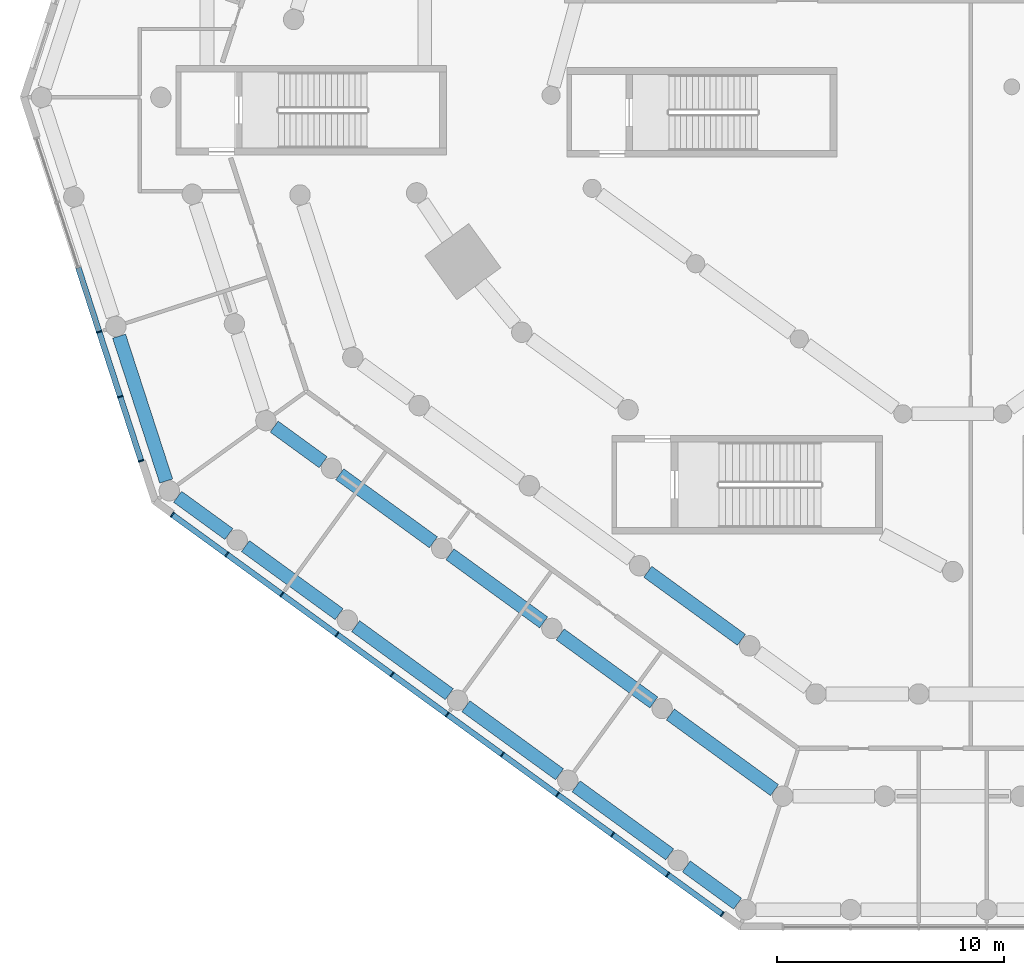
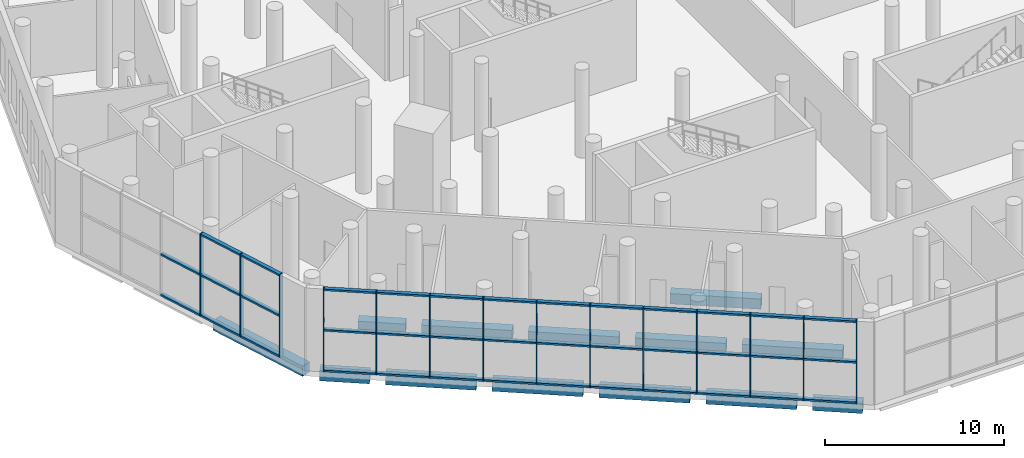
# One storey, part 2 of 23: 52 members, 13 beams, 2 elements without a shape of their own.
"""IFC4 building model written with IfcOpenShell, lengths in metres."""

from ifc_helpers import new_model, si_unit, direction, frame, origin, origin_2d, place, context, subcontext, project, spatial, rectangle, extrude, material, material_profile, profile_set, type_object, element, aggregate, save


model = new_model("IFC4")

# Units and contexts
model_context = context("Model", 3, precision=1e-05, world=origin(), true_north=direction((0.0, 1.0)))
body_context = subcontext(model_context, "Body", "Model", "MODEL_VIEW")
ifc_project = project(units=[si_unit("LENGTHUNIT", "METRE"), si_unit("AREAUNIT", "SQUARE_METRE"), si_unit("VOLUMEUNIT", "CUBIC_METRE"), si_unit("PLANEANGLEUNIT", "RADIAN"), si_unit("MASSUNIT", "GRAM", prefix="KILO")], contexts=[model_context])

# Site, building, storey
site_placement = place(None, origin())
site = spatial("IfcSite", under=ifc_project, at=site_placement, CompositionType="ELEMENT")
building_placement = place(site_placement, origin())
building = spatial("IfcBuilding", under=site, at=building_placement, Name="White Candle Pilgrim Tower", CompositionType="ELEMENT")
storey_placement = place(building_placement, frame((0.0, 0.0, 9.0)))
storey = spatial("IfcBuildingStorey", under=building, at=storey_placement, Name="L01", CompositionType="ELEMENT", Elevation=9.0)

# Curtain wall, members
ifc_material_1 = material(Name="Aluminium and glass", Category="aluminium")
curtain_wall_type = type_object("IfcCurtainWallType", Name="Curtain wall CW1 hall glazing", PredefinedType="NOTDEFINED", material=ifc_material_1)
curtain_wall_1_placement = place(storey_placement, origin())
curtain_wall_1 = element("IfcCurtainWall", 1, at=curtain_wall_1_placement, inside=storey, type_object=curtain_wall_type, Name="Curtain wall CW1 L01 W chamfer", PredefinedType="NOTDEFINED")
ifc_material_2 = material(Name="Aluminium", Category="aluminium")
ifc_material_profile_1 = material_profile(ifc_material_2, rectangle(XDim=0.25, YDim=0.06005859375, at=origin_2d()), Name="CW1 mullion 60x250")
ifc_profile_set_1 = profile_set([ifc_material_profile_1], Name="Aluminium")
member_type_1 = type_object("IfcMemberType", Name="CW1 mullion 60x250", PredefinedType="MULLION", material=ifc_profile_set_1)
member_1_placement = place(storey_placement, frame((32.407958984375, 50.20849609375, 0.0), z_axis=(0.0, 0.0, 1.0), x_axis=(0.95105651629, 0.309016994392, 0.0)))
member_1 = element("IfcMember", 2, at=member_1_placement, type_object=member_type_1, Name="CW1 mullion 4", PredefinedType="MULLION", context=body_context, shape_type="SweptSolid", body=[
    extrude(rectangle(XDim=0.25, YDim=0.06005859375, at=origin_2d()), origin(), (0.0, 0.0, 1.0), 5.64990234375),
])
member_2_placement = place(storey_placement, frame((33.3349609375, 47.355224609375, 0.0), z_axis=(0.0, 0.0, 1.0), x_axis=(0.95105651629, 0.309016994392, 0.0)))
member_2 = element("IfcMember", 3, at=member_2_placement, type_object=member_type_1, Name="CW1 mullion 5", PredefinedType="MULLION", context=body_context, shape_type="SweptSolid", body=[
    extrude(rectangle(XDim=0.25, YDim=0.06005859375, at=origin_2d()), origin(), (0.0, 0.0, 1.0), 5.64990234375),
])
member_3_placement = place(storey_placement, frame((34.2529296875, 44.530517578125, 0.0), z_axis=(0.0, 0.0, 1.0), x_axis=(0.95105651629, 0.309016994392, 0.0)))
member_3 = element("IfcMember", 4, at=member_3_placement, type_object=member_type_1, Name="CW1 mullion 6", PredefinedType="MULLION", context=body_context, shape_type="SweptSolid", body=[
    extrude(rectangle(XDim=0.25, YDim=0.06005859375, at=origin_2d()), origin(), (0.0, 0.0, 1.0), 5.64990234375),
])

curtain_wall_2_placement = place(storey_placement, origin())
curtain_wall_2 = element("IfcCurtainWall", 5, at=curtain_wall_2_placement, inside=storey, type_object=curtain_wall_type, Name="Curtain wall CW1 L01 SW", PredefinedType="NOTDEFINED")
member_4_placement = place(storey_placement, frame((35.626708984375, 42.15771484375, 0.0), z_axis=(0.0, 0.0, 1.0), x_axis=(0.587785256853, 0.809016991061, 0.0)))
member_4 = element("IfcMember", 6, at=member_4_placement, type_object=member_type_1, Name="CW1 mullion 1", PredefinedType="MULLION", context=body_context, shape_type="SweptSolid", body=[
    extrude(rectangle(XDim=0.25, YDim=0.06005859375, at=origin_2d()), origin(), (0.0, 0.0, 1.0), 5.64990234375),
])
member_5_placement = place(storey_placement, frame((38.029541015625, 40.411865234375, 0.0), z_axis=(0.0, 0.0, 1.0), x_axis=(0.587785256853, 0.809016991061, 0.0)))
member_5 = element("IfcMember", 7, at=member_5_placement, type_object=member_type_1, Name="CW1 mullion 2", PredefinedType="MULLION", context=body_context, shape_type="SweptSolid", body=[
    extrude(rectangle(XDim=0.25, YDim=0.06005859375, at=origin_2d()), origin(), (0.0, 0.0, 1.0), 5.64990234375),
])
member_6_placement = place(storey_placement, frame((40.45654296875, 38.6484375, 0.0), z_axis=(0.0, 0.0, 1.0), x_axis=(0.587785256853, 0.809016991061, 0.0)))
member_6 = element("IfcMember", 8, at=member_6_placement, type_object=member_type_1, Name="CW1 mullion 3", PredefinedType="MULLION", context=body_context, shape_type="SweptSolid", body=[
    extrude(rectangle(XDim=0.25, YDim=0.06005859375, at=origin_2d()), origin(), (0.0, 0.0, 1.0), 5.64990234375),
])
member_7_placement = place(storey_placement, frame((42.883544921875, 36.88525390625, 0.0), z_axis=(0.0, 0.0, 1.0), x_axis=(0.587785256853, 0.809016991061, 0.0)))
member_7 = element("IfcMember", 9, at=member_7_placement, type_object=member_type_1, Name="CW1 mullion 4", PredefinedType="MULLION", context=body_context, shape_type="SweptSolid", body=[
    extrude(rectangle(XDim=0.25, YDim=0.06005859375, at=origin_2d()), origin(), (0.0, 0.0, 1.0), 5.64990234375),
])
member_8_placement = place(storey_placement, frame((45.310546875, 35.121826171875, 0.0), z_axis=(0.0, 0.0, 1.0), x_axis=(0.587785256853, 0.809016991061, 0.0)))
member_8 = element("IfcMember", 10, at=member_8_placement, type_object=member_type_1, Name="CW1 mullion 5", PredefinedType="MULLION", context=body_context, shape_type="SweptSolid", body=[
    extrude(rectangle(XDim=0.25, YDim=0.06005859375, at=origin_2d()), origin(), (0.0, 0.0, 1.0), 5.64990234375),
])
member_9_placement = place(storey_placement, frame((47.737548828125, 33.3583984375, 0.0), z_axis=(0.0, 0.0, 1.0), x_axis=(0.587785256853, 0.809016991061, 0.0)))
member_9 = element("IfcMember", 11, at=member_9_placement, type_object=member_type_1, Name="CW1 mullion 6", PredefinedType="MULLION", context=body_context, shape_type="SweptSolid", body=[
    extrude(rectangle(XDim=0.25, YDim=0.06005859375, at=origin_2d()), origin(), (0.0, 0.0, 1.0), 5.64990234375),
])
member_10_placement = place(storey_placement, frame((50.164794921875, 31.59521484375, 0.0), z_axis=(0.0, 0.0, 1.0), x_axis=(0.587785256853, 0.809016991061, 0.0)))
member_10 = element("IfcMember", 12, at=member_10_placement, type_object=member_type_1, Name="CW1 mullion 7", PredefinedType="MULLION", context=body_context, shape_type="SweptSolid", body=[
    extrude(rectangle(XDim=0.25, YDim=0.06005859375, at=origin_2d()), origin(), (0.0, 0.0, 1.0), 5.64990234375),
])
member_11_placement = place(storey_placement, frame((52.591796875, 29.831787109375, 0.0), z_axis=(0.0, 0.0, 1.0), x_axis=(0.587785256853, 0.809016991061, 0.0)))
member_11 = element("IfcMember", 13, at=member_11_placement, type_object=member_type_1, Name="CW1 mullion 8", PredefinedType="MULLION", context=body_context, shape_type="SweptSolid", body=[
    extrude(rectangle(XDim=0.25, YDim=0.06005859375, at=origin_2d()), origin(), (0.0, 0.0, 1.0), 5.64990234375),
])
member_12_placement = place(storey_placement, frame((55.018798828125, 28.068359375, 0.0), z_axis=(0.0, 0.0, 1.0), x_axis=(0.587785256853, 0.809016991061, 0.0)))
member_12 = element("IfcMember", 14, at=member_12_placement, type_object=member_type_1, Name="CW1 mullion 9", PredefinedType="MULLION", context=body_context, shape_type="SweptSolid", body=[
    extrude(rectangle(XDim=0.25, YDim=0.06005859375, at=origin_2d()), origin(), (0.0, 0.0, 1.0), 5.64990234375),
])
member_13_placement = place(storey_placement, frame((57.44580078125, 26.30517578125, 0.0), z_axis=(0.0, 0.0, 1.0), x_axis=(0.587785256853, 0.809016991061, 0.0)))
member_13 = element("IfcMember", 15, at=member_13_placement, type_object=member_type_1, Name="CW1 mullion 10", PredefinedType="MULLION", context=body_context, shape_type="SweptSolid", body=[
    extrude(rectangle(XDim=0.25, YDim=0.06005859375, at=origin_2d()), origin(), (0.0, 0.0, 1.0), 5.64990234375),
])
member_14_placement = place(storey_placement, frame((59.8486328125, 24.559326171875, 0.0), z_axis=(0.0, 0.0, 1.0), x_axis=(0.587785256853, 0.809016991061, 0.0)))
member_14 = element("IfcMember", 16, at=member_14_placement, type_object=member_type_1, Name="CW1 mullion 11", PredefinedType="MULLION", context=body_context, shape_type="SweptSolid", body=[
    extrude(rectangle(XDim=0.25, YDim=0.06005859375, at=origin_2d()), origin(), (0.0, 0.0, 1.0), 5.64990234375),
])

# Member
ifc_material_profile_2 = material_profile(ifc_material_2, rectangle(XDim=0.25, YDim=0.1201171875, at=origin_2d()), Name="CW1 transom 120x250")
ifc_profile_set_2 = profile_set([ifc_material_profile_2], Name="Aluminium")
member_type_2 = type_object("IfcMemberType", Name="CW1 transom 120x250", PredefinedType="USERDEFINED", material=ifc_profile_set_2)
member_15_placement = place(storey_placement, frame((31.490234375, 53.032958984375, 0.06005859375), z_axis=(0.309018469575, -0.951056036972, 0.0), x_axis=(0.951056036972, 0.309018469575, 0.0)))
member_15 = element("IfcMember", 17, at=member_15_placement, type_object=member_type_2, Name="CW1 transom 3.1", ObjectType="TRANSOM", PredefinedType="USERDEFINED", context=body_context, shape_type="SweptSolid", body=[
    extrude(rectangle(XDim=0.25, YDim=0.1201171875, at=origin_2d()), origin(), (0.0, 0.0, 1.0), 2.939697265625),
])

member_16_placement = place(storey_placement, frame((31.490234375, 53.032958984375, 2.824951171875), z_axis=(0.309018469575, -0.951056036972, 0.0), x_axis=(0.951056036972, 0.309018469575, 0.0)))
member_16 = element("IfcMember", 18, at=member_16_placement, type_object=member_type_2, Name="CW1 transom 3.2", ObjectType="TRANSOM", PredefinedType="USERDEFINED", context=body_context, shape_type="SweptSolid", body=[
    extrude(rectangle(XDim=0.25, YDim=0.1201171875, at=origin_2d()), origin(), (0.0, 0.0, 1.0), 2.939697265625),
])

member_17_placement = place(storey_placement, frame((32.417236328125, 50.179931640625, 0.06005859375), z_axis=(0.309069173562, -0.951039560667, 0.0), x_axis=(0.951039560667, 0.309069173562, 0.0)))
member_17 = element("IfcMember", 19, at=member_17_placement, type_object=member_type_2, Name="CW1 transom 4.1", ObjectType="TRANSOM", PredefinedType="USERDEFINED", context=body_context, shape_type="SweptSolid", body=[
    extrude(rectangle(XDim=0.25, YDim=0.1201171875, at=origin_2d()), origin(), (0.0, 0.0, 1.0), 2.940185546875),
])

member_18_placement = place(storey_placement, frame((32.417236328125, 50.179931640625, 2.824951171875), z_axis=(0.309069173562, -0.951039560667, 0.0), x_axis=(0.951039560667, 0.309069173562, 0.0)))
member_18 = element("IfcMember", 20, at=member_18_placement, type_object=member_type_2, Name="CW1 transom 4.2", ObjectType="TRANSOM", PredefinedType="USERDEFINED", context=body_context, shape_type="SweptSolid", body=[
    extrude(rectangle(XDim=0.25, YDim=0.1201171875, at=origin_2d()), origin(), (0.0, 0.0, 1.0), 2.940185546875),
])

member_19_placement = place(storey_placement, frame((32.417236328125, 50.179931640625, 5.590087890625), z_axis=(0.309069173562, -0.951039560667, 0.0), x_axis=(0.951039560667, 0.309069173562, 0.0)))
member_19 = element("IfcMember", 21, at=member_19_placement, type_object=member_type_2, Name="CW1 transom 4.3", ObjectType="TRANSOM", PredefinedType="USERDEFINED", context=body_context, shape_type="SweptSolid", body=[
    extrude(rectangle(XDim=0.25, YDim=0.1201171875, at=origin_2d()), origin(), (0.0, 0.0, 1.0), 2.940185546875),
])

member_20_placement = place(storey_placement, frame((33.34423828125, 47.32666015625, 0.06005859375), z_axis=(0.309070896182, -0.951039000848, 0.0), x_axis=(0.951039000848, 0.309070896182, 0.0)))
member_20 = element("IfcMember", 22, at=member_20_placement, type_object=member_type_2, Name="CW1 transom 5.1", ObjectType="TRANSOM", PredefinedType="USERDEFINED", context=body_context, shape_type="SweptSolid", body=[
    extrude(rectangle(XDim=0.25, YDim=0.1201171875, at=origin_2d()), origin(), (0.0, 0.0, 1.0), 2.91015625),
])

member_21_placement = place(storey_placement, frame((33.34423828125, 47.32666015625, 2.824951171875), z_axis=(0.309070896182, -0.951039000848, 0.0), x_axis=(0.951039000848, 0.309070896182, 0.0)))
member_21 = element("IfcMember", 23, at=member_21_placement, type_object=member_type_2, Name="CW1 transom 5.2", ObjectType="TRANSOM", PredefinedType="USERDEFINED", context=body_context, shape_type="SweptSolid", body=[
    extrude(rectangle(XDim=0.25, YDim=0.1201171875, at=origin_2d()), origin(), (0.0, 0.0, 1.0), 2.91015625),
])

member_22_placement = place(storey_placement, frame((33.34423828125, 47.32666015625, 5.590087890625), z_axis=(0.309070896182, -0.951039000848, 0.0), x_axis=(0.951039000848, 0.309070896182, 0.0)))
member_22 = element("IfcMember", 24, at=member_22_placement, type_object=member_type_2, Name="CW1 transom 5.3", ObjectType="TRANSOM", PredefinedType="USERDEFINED", context=body_context, shape_type="SweptSolid", body=[
    extrude(rectangle(XDim=0.25, YDim=0.1201171875, at=origin_2d()), origin(), (0.0, 0.0, 1.0), 2.91015625),
])

aggregate(curtain_wall_1, [member_1, member_2, member_3, member_15, member_16, member_17, member_18, member_19, member_20, member_21, member_22])

member_23_placement = place(storey_placement, frame((35.65087890625, 42.139892578125, 0.06005859375), z_axis=(0.809018973085, -0.587782528822, 0.0), x_axis=(0.587782528822, 0.809018973085, 0.0)))
member_23 = element("IfcMember", 25, at=member_23_placement, type_object=member_type_2, Name="CW1 transom 1.1", ObjectType="TRANSOM", PredefinedType="USERDEFINED", context=body_context, shape_type="SweptSolid", body=[
    extrude(rectangle(XDim=0.25, YDim=0.1201171875, at=origin_2d()), origin(), (0.0, 0.0, 1.0), 2.909912109375),
])

member_24_placement = place(storey_placement, frame((35.65087890625, 42.139892578125, 2.824951171875), z_axis=(0.809018973085, -0.587782528822, 0.0), x_axis=(0.587782528822, 0.809018973085, 0.0)))
member_24 = element("IfcMember", 26, at=member_24_placement, type_object=member_type_2, Name="CW1 transom 1.2", ObjectType="TRANSOM", PredefinedType="USERDEFINED", context=body_context, shape_type="SweptSolid", body=[
    extrude(rectangle(XDim=0.25, YDim=0.1201171875, at=origin_2d()), origin(), (0.0, 0.0, 1.0), 2.909912109375),
])

member_25_placement = place(storey_placement, frame((35.65087890625, 42.139892578125, 5.590087890625), z_axis=(0.809018973085, -0.587782528822, 0.0), x_axis=(0.587782528822, 0.809018973085, 0.0)))
member_25 = element("IfcMember", 27, at=member_25_placement, type_object=member_type_2, Name="CW1 transom 1.3", ObjectType="TRANSOM", PredefinedType="USERDEFINED", context=body_context, shape_type="SweptSolid", body=[
    extrude(rectangle(XDim=0.25, YDim=0.1201171875, at=origin_2d()), origin(), (0.0, 0.0, 1.0), 2.909912109375),
])

member_26_placement = place(storey_placement, frame((38.0537109375, 40.394287109375, 0.06005859375), z_axis=(0.809016098264, -0.587786485682, 0.0), x_axis=(0.587786485682, 0.809016098264, 0.0)))
member_26 = element("IfcMember", 28, at=member_26_placement, type_object=member_type_2, Name="CW1 transom 2.1", ObjectType="TRANSOM", PredefinedType="USERDEFINED", context=body_context, shape_type="SweptSolid", body=[
    extrude(rectangle(XDim=0.25, YDim=0.1201171875, at=origin_2d()), origin(), (0.0, 0.0, 1.0), 2.93994140625),
])

member_27_placement = place(storey_placement, frame((38.0537109375, 40.394287109375, 2.824951171875), z_axis=(0.809016098264, -0.587786485682, 0.0), x_axis=(0.587786485682, 0.809016098264, 0.0)))
member_27 = element("IfcMember", 29, at=member_27_placement, type_object=member_type_2, Name="CW1 transom 2.2", ObjectType="TRANSOM", PredefinedType="USERDEFINED", context=body_context, shape_type="SweptSolid", body=[
    extrude(rectangle(XDim=0.25, YDim=0.1201171875, at=origin_2d()), origin(), (0.0, 0.0, 1.0), 2.93994140625),
])

member_28_placement = place(storey_placement, frame((38.0537109375, 40.394287109375, 5.590087890625), z_axis=(0.809016098264, -0.587786485682, 0.0), x_axis=(0.587786485682, 0.809016098264, 0.0)))
member_28 = element("IfcMember", 30, at=member_28_placement, type_object=member_type_2, Name="CW1 transom 2.3", ObjectType="TRANSOM", PredefinedType="USERDEFINED", context=body_context, shape_type="SweptSolid", body=[
    extrude(rectangle(XDim=0.25, YDim=0.1201171875, at=origin_2d()), origin(), (0.0, 0.0, 1.0), 2.93994140625),
])

member_29_placement = place(storey_placement, frame((40.480712890625, 38.630859375, 0.06005859375), z_axis=(0.809044786541, -0.587746997756, 0.0), x_axis=(0.587746997756, 0.809044786541, 0.0)))
member_29 = element("IfcMember", 31, at=member_29_placement, type_object=member_type_2, Name="CW1 transom 3.1", ObjectType="TRANSOM", PredefinedType="USERDEFINED", context=body_context, shape_type="SweptSolid", body=[
    extrude(rectangle(XDim=0.25, YDim=0.1201171875, at=origin_2d()), origin(), (0.0, 0.0, 1.0), 2.940185546875),
])

member_30_placement = place(storey_placement, frame((40.480712890625, 38.630859375, 2.824951171875), z_axis=(0.809044786541, -0.587746997756, 0.0), x_axis=(0.587746997756, 0.809044786541, 0.0)))
member_30 = element("IfcMember", 32, at=member_30_placement, type_object=member_type_2, Name="CW1 transom 3.2", ObjectType="TRANSOM", PredefinedType="USERDEFINED", context=body_context, shape_type="SweptSolid", body=[
    extrude(rectangle(XDim=0.25, YDim=0.1201171875, at=origin_2d()), origin(), (0.0, 0.0, 1.0), 2.940185546875),
])

member_31_placement = place(storey_placement, frame((40.480712890625, 38.630859375, 5.590087890625), z_axis=(0.809044786541, -0.587746997756, 0.0), x_axis=(0.587746997756, 0.809044786541, 0.0)))
member_31 = element("IfcMember", 33, at=member_31_placement, type_object=member_type_2, Name="CW1 transom 3.3", ObjectType="TRANSOM", PredefinedType="USERDEFINED", context=body_context, shape_type="SweptSolid", body=[
    extrude(rectangle(XDim=0.25, YDim=0.1201171875, at=origin_2d()), origin(), (0.0, 0.0, 1.0), 2.940185546875),
])

member_32_placement = place(storey_placement, frame((42.90771484375, 36.86767578125, 0.06005859375), z_axis=(0.809005300669, -0.587801346961, 0.0), x_axis=(0.587801346961, 0.809005300669, 0.0)))
member_32 = element("IfcMember", 34, at=member_32_placement, type_object=member_type_2, Name="CW1 transom 4.1", ObjectType="TRANSOM", PredefinedType="USERDEFINED", context=body_context, shape_type="SweptSolid", body=[
    extrude(rectangle(XDim=0.25, YDim=0.1201171875, at=origin_2d()), origin(), (0.0, 0.0, 1.0), 2.940185546875),
])

member_33_placement = place(storey_placement, frame((42.90771484375, 36.86767578125, 2.824951171875), z_axis=(0.809005300669, -0.587801346961, 0.0), x_axis=(0.587801346961, 0.809005300669, 0.0)))
member_33 = element("IfcMember", 35, at=member_33_placement, type_object=member_type_2, Name="CW1 transom 4.2", ObjectType="TRANSOM", PredefinedType="USERDEFINED", context=body_context, shape_type="SweptSolid", body=[
    extrude(rectangle(XDim=0.25, YDim=0.1201171875, at=origin_2d()), origin(), (0.0, 0.0, 1.0), 2.940185546875),
])

member_34_placement = place(storey_placement, frame((42.90771484375, 36.86767578125, 5.590087890625), z_axis=(0.809005300669, -0.587801346961, 0.0), x_axis=(0.587801346961, 0.809005300669, 0.0)))
member_34 = element("IfcMember", 36, at=member_34_placement, type_object=member_type_2, Name="CW1 transom 4.3", ObjectType="TRANSOM", PredefinedType="USERDEFINED", context=body_context, shape_type="SweptSolid", body=[
    extrude(rectangle(XDim=0.25, YDim=0.1201171875, at=origin_2d()), origin(), (0.0, 0.0, 1.0), 2.940185546875),
])

member_35_placement = place(storey_placement, frame((45.3349609375, 35.104248046875, 0.06005859375), z_axis=(0.809016098264, -0.587786485682, 0.0), x_axis=(0.587786485682, 0.809016098264, 0.0)))
member_35 = element("IfcMember", 37, at=member_35_placement, type_object=member_type_2, Name="CW1 transom 5.1", ObjectType="TRANSOM", PredefinedType="USERDEFINED", context=body_context, shape_type="SweptSolid", body=[
    extrude(rectangle(XDim=0.25, YDim=0.1201171875, at=origin_2d()), origin(), (0.0, 0.0, 1.0), 2.93994140625),
])

member_36_placement = place(storey_placement, frame((45.3349609375, 35.104248046875, 2.824951171875), z_axis=(0.809016098264, -0.587786485682, 0.0), x_axis=(0.587786485682, 0.809016098264, 0.0)))
member_36 = element("IfcMember", 38, at=member_36_placement, type_object=member_type_2, Name="CW1 transom 5.2", ObjectType="TRANSOM", PredefinedType="USERDEFINED", context=body_context, shape_type="SweptSolid", body=[
    extrude(rectangle(XDim=0.25, YDim=0.1201171875, at=origin_2d()), origin(), (0.0, 0.0, 1.0), 2.93994140625),
])

member_37_placement = place(storey_placement, frame((45.3349609375, 35.104248046875, 5.590087890625), z_axis=(0.809016098264, -0.587786485682, 0.0), x_axis=(0.587786485682, 0.809016098264, 0.0)))
member_37 = element("IfcMember", 39, at=member_37_placement, type_object=member_type_2, Name="CW1 transom 5.3", ObjectType="TRANSOM", PredefinedType="USERDEFINED", context=body_context, shape_type="SweptSolid", body=[
    extrude(rectangle(XDim=0.25, YDim=0.1201171875, at=origin_2d()), origin(), (0.0, 0.0, 1.0), 2.93994140625),
])

member_38_placement = place(storey_placement, frame((47.761962890625, 33.3408203125, 0.06005859375), z_axis=(0.809016098264, -0.587786485682, 0.0), x_axis=(0.587786485682, 0.809016098264, 0.0)))
member_38 = element("IfcMember", 40, at=member_38_placement, type_object=member_type_2, Name="CW1 transom 6.1", ObjectType="TRANSOM", PredefinedType="USERDEFINED", context=body_context, shape_type="SweptSolid", body=[
    extrude(rectangle(XDim=0.25, YDim=0.1201171875, at=origin_2d()), origin(), (0.0, 0.0, 1.0), 2.93994140625),
])

member_39_placement = place(storey_placement, frame((47.761962890625, 33.3408203125, 2.824951171875), z_axis=(0.809016098264, -0.587786485682, 0.0), x_axis=(0.587786485682, 0.809016098264, 0.0)))
member_39 = element("IfcMember", 41, at=member_39_placement, type_object=member_type_2, Name="CW1 transom 6.2", ObjectType="TRANSOM", PredefinedType="USERDEFINED", context=body_context, shape_type="SweptSolid", body=[
    extrude(rectangle(XDim=0.25, YDim=0.1201171875, at=origin_2d()), origin(), (0.0, 0.0, 1.0), 2.93994140625),
])

member_40_placement = place(storey_placement, frame((47.761962890625, 33.3408203125, 5.590087890625), z_axis=(0.809016098264, -0.587786485682, 0.0), x_axis=(0.587786485682, 0.809016098264, 0.0)))
member_40 = element("IfcMember", 42, at=member_40_placement, type_object=member_type_2, Name="CW1 transom 6.3", ObjectType="TRANSOM", PredefinedType="USERDEFINED", context=body_context, shape_type="SweptSolid", body=[
    extrude(rectangle(XDim=0.25, YDim=0.1201171875, at=origin_2d()), origin(), (0.0, 0.0, 1.0), 2.93994140625),
])

member_41_placement = place(storey_placement, frame((50.18896484375, 31.577392578125, 0.06005859375), z_axis=(0.809016098264, -0.587786485682, 0.0), x_axis=(0.587786485682, 0.809016098264, 0.0)))
member_41 = element("IfcMember", 43, at=member_41_placement, type_object=member_type_2, Name="CW1 transom 7.1", ObjectType="TRANSOM", PredefinedType="USERDEFINED", context=body_context, shape_type="SweptSolid", body=[
    extrude(rectangle(XDim=0.25, YDim=0.1201171875, at=origin_2d()), origin(), (0.0, 0.0, 1.0), 2.93994140625),
])

member_42_placement = place(storey_placement, frame((50.18896484375, 31.577392578125, 2.824951171875), z_axis=(0.809016098264, -0.587786485682, 0.0), x_axis=(0.587786485682, 0.809016098264, 0.0)))
member_42 = element("IfcMember", 44, at=member_42_placement, type_object=member_type_2, Name="CW1 transom 7.2", ObjectType="TRANSOM", PredefinedType="USERDEFINED", context=body_context, shape_type="SweptSolid", body=[
    extrude(rectangle(XDim=0.25, YDim=0.1201171875, at=origin_2d()), origin(), (0.0, 0.0, 1.0), 2.93994140625),
])

member_43_placement = place(storey_placement, frame((50.18896484375, 31.577392578125, 5.590087890625), z_axis=(0.809016098264, -0.587786485682, 0.0), x_axis=(0.587786485682, 0.809016098264, 0.0)))
member_43 = element("IfcMember", 45, at=member_43_placement, type_object=member_type_2, Name="CW1 transom 7.3", ObjectType="TRANSOM", PredefinedType="USERDEFINED", context=body_context, shape_type="SweptSolid", body=[
    extrude(rectangle(XDim=0.25, YDim=0.1201171875, at=origin_2d()), origin(), (0.0, 0.0, 1.0), 2.93994140625),
])

member_44_placement = place(storey_placement, frame((52.615966796875, 29.814208984375, 0.06005859375), z_axis=(0.809005300669, -0.587801346961, 0.0), x_axis=(0.587801346961, 0.809005300669, 0.0)))
member_44 = element("IfcMember", 46, at=member_44_placement, type_object=member_type_2, Name="CW1 transom 8.1", ObjectType="TRANSOM", PredefinedType="USERDEFINED", context=body_context, shape_type="SweptSolid", body=[
    extrude(rectangle(XDim=0.25, YDim=0.1201171875, at=origin_2d()), origin(), (0.0, 0.0, 1.0), 2.940185546875),
])

member_45_placement = place(storey_placement, frame((52.615966796875, 29.814208984375, 2.824951171875), z_axis=(0.809005300669, -0.587801346961, 0.0), x_axis=(0.587801346961, 0.809005300669, 0.0)))
member_45 = element("IfcMember", 47, at=member_45_placement, type_object=member_type_2, Name="CW1 transom 8.2", ObjectType="TRANSOM", PredefinedType="USERDEFINED", context=body_context, shape_type="SweptSolid", body=[
    extrude(rectangle(XDim=0.25, YDim=0.1201171875, at=origin_2d()), origin(), (0.0, 0.0, 1.0), 2.940185546875),
])

member_46_placement = place(storey_placement, frame((52.615966796875, 29.814208984375, 5.590087890625), z_axis=(0.809005300669, -0.587801346961, 0.0), x_axis=(0.587801346961, 0.809005300669, 0.0)))
member_46 = element("IfcMember", 48, at=member_46_placement, type_object=member_type_2, Name="CW1 transom 8.3", ObjectType="TRANSOM", PredefinedType="USERDEFINED", context=body_context, shape_type="SweptSolid", body=[
    extrude(rectangle(XDim=0.25, YDim=0.1201171875, at=origin_2d()), origin(), (0.0, 0.0, 1.0), 2.940185546875),
])

member_47_placement = place(storey_placement, frame((55.04296875, 28.05078125, 0.06005859375), z_axis=(0.809044786541, -0.587746997756, 0.0), x_axis=(0.587746997756, 0.809044786541, 0.0)))
member_47 = element("IfcMember", 49, at=member_47_placement, type_object=member_type_2, Name="CW1 transom 9.1", ObjectType="TRANSOM", PredefinedType="USERDEFINED", context=body_context, shape_type="SweptSolid", body=[
    extrude(rectangle(XDim=0.25, YDim=0.1201171875, at=origin_2d()), origin(), (0.0, 0.0, 1.0), 2.940185546875),
])

member_48_placement = place(storey_placement, frame((55.04296875, 28.05078125, 2.824951171875), z_axis=(0.809044786541, -0.587746997756, 0.0), x_axis=(0.587746997756, 0.809044786541, 0.0)))
member_48 = element("IfcMember", 50, at=member_48_placement, type_object=member_type_2, Name="CW1 transom 9.2", ObjectType="TRANSOM", PredefinedType="USERDEFINED", context=body_context, shape_type="SweptSolid", body=[
    extrude(rectangle(XDim=0.25, YDim=0.1201171875, at=origin_2d()), origin(), (0.0, 0.0, 1.0), 2.940185546875),
])

member_49_placement = place(storey_placement, frame((55.04296875, 28.05078125, 5.590087890625), z_axis=(0.809044786541, -0.587746997756, 0.0), x_axis=(0.587746997756, 0.809044786541, 0.0)))
member_49 = element("IfcMember", 51, at=member_49_placement, type_object=member_type_2, Name="CW1 transom 9.3", ObjectType="TRANSOM", PredefinedType="USERDEFINED", context=body_context, shape_type="SweptSolid", body=[
    extrude(rectangle(XDim=0.25, YDim=0.1201171875, at=origin_2d()), origin(), (0.0, 0.0, 1.0), 2.940185546875),
])

member_50_placement = place(storey_placement, frame((57.47021484375, 26.287353515625, 0.06005859375), z_axis=(0.809018973085, -0.587782528822, 0.0), x_axis=(0.587782528822, 0.809018973085, 0.0)))
member_50 = element("IfcMember", 52, at=member_50_placement, type_object=member_type_2, Name="CW1 transom 10.1", ObjectType="TRANSOM", PredefinedType="USERDEFINED", context=body_context, shape_type="SweptSolid", body=[
    extrude(rectangle(XDim=0.25, YDim=0.1201171875, at=origin_2d()), origin(), (0.0, 0.0, 1.0), 2.909912109375),
])

member_51_placement = place(storey_placement, frame((57.47021484375, 26.287353515625, 2.824951171875), z_axis=(0.809018973085, -0.587782528822, 0.0), x_axis=(0.587782528822, 0.809018973085, 0.0)))
member_51 = element("IfcMember", 53, at=member_51_placement, type_object=member_type_2, Name="CW1 transom 10.2", ObjectType="TRANSOM", PredefinedType="USERDEFINED", context=body_context, shape_type="SweptSolid", body=[
    extrude(rectangle(XDim=0.25, YDim=0.1201171875, at=origin_2d()), origin(), (0.0, 0.0, 1.0), 2.909912109375),
])

member_52_placement = place(storey_placement, frame((57.47021484375, 26.287353515625, 5.590087890625), z_axis=(0.809018973085, -0.587782528822, 0.0), x_axis=(0.587782528822, 0.809018973085, 0.0)))
member_52 = element("IfcMember", 54, at=member_52_placement, type_object=member_type_2, Name="CW1 transom 10.3", ObjectType="TRANSOM", PredefinedType="USERDEFINED", context=body_context, shape_type="SweptSolid", body=[
    extrude(rectangle(XDim=0.25, YDim=0.1201171875, at=origin_2d()), origin(), (0.0, 0.0, 1.0), 2.909912109375),
])

aggregate(curtain_wall_2, [member_4, member_5, member_6, member_7, member_8, member_9, member_10, member_11, member_12, member_13, member_14, member_23, member_24, member_25, member_26, member_27, member_28, member_29, member_30, member_31, member_32, member_33, member_34, member_35, member_36, member_37, member_38, member_39, member_40, member_41, member_42, member_43, member_44, member_45, member_46, member_47, member_48, member_49, member_50, member_51, member_52])

# Beams
ifc_material_3 = material(Name="Concrete C50/60", Category="concrete")
ifc_material_profile_3 = material_profile(ifc_material_3, rectangle(XDim=0.60009765625, YDim=0.699951171875, at=origin_2d()), Name="RC-BM 600x700")
ifc_profile_set_3 = profile_set([ifc_material_profile_3], Name="Concrete C50/60")
beam_type = type_object("IfcBeamType", Name="Spandrel beam RC-BM 600x700 C50/60", PredefinedType="BEAM", material=ifc_profile_set_3)
beam_1_placement = place(storey_placement, frame((33.283935546875, 50.020263671875, -0.699951171875), z_axis=(0.309037539507, -0.951049840532, 0.0), x_axis=(0.951049840532, 0.309037539507, 0.0)))
element("IfcBeam", 55, at=beam_1_placement, inside=storey, type_object=beam_type, Name="L01 spandrel beam A03", PredefinedType="BEAM", context=body_context, shape_type="SweptSolid", body=[
    extrude(rectangle(XDim=0.60009765625, YDim=0.699951171875, at=origin_2d()), origin(), (0.0, 0.0, 1.0), 6.711181640625),
])
beam_2_placement = place(storey_placement, frame((35.86083984375, 42.945556640625, -0.699951171875), z_axis=(0.809030737429, -0.587766336136, 0.0), x_axis=(0.587766336136, 0.809030737429, 0.0)))
element("IfcBeam", 56, at=beam_2_placement, inside=storey, type_object=beam_type, Name="L01 spandrel beam A04", PredefinedType="BEAM", context=body_context, shape_type="SweptSolid", body=[
    extrude(rectangle(XDim=0.60009765625, YDim=0.699951171875, at=origin_2d()), origin(), (0.0, 0.0, 1.0), 2.793701171875),
])
beam_3_placement = place(storey_placement, frame((38.848876953125, 40.774658203125, -0.699951171875), z_axis=(0.808978190317, -0.587838657789, 0.0), x_axis=(0.587838657789, 0.808978190317, 0.0)))
element("IfcBeam", 57, at=beam_3_placement, inside=storey, type_object=beam_type, Name="L01 spandrel beam A05", PredefinedType="BEAM", context=body_context, shape_type="SweptSolid", body=[
    extrude(rectangle(XDim=0.60009765625, YDim=0.699951171875, at=origin_2d()), origin(), (0.0, 0.0, 1.0), 5.1005859375),
])
beam_4_placement = place(storey_placement, frame((43.702880859375, 37.24755859375, -0.699951171875), z_axis=(0.80900095282, -0.587807330965, 0.0), x_axis=(0.587807330965, 0.80900095282, 0.0)))
element("IfcBeam", 58, at=beam_4_placement, inside=storey, type_object=beam_type, Name="L01 spandrel beam A06", PredefinedType="BEAM", context=body_context, shape_type="SweptSolid", body=[
    extrude(rectangle(XDim=0.60009765625, YDim=0.699951171875, at=origin_2d()), origin(), (0.0, 0.0, 1.0), 5.100341796875),
])
beam_5_placement = place(storey_placement, frame((48.556884765625, 33.720703125, -0.699951171875), z_axis=(0.809069240735, -0.587713334625, 0.0), x_axis=(0.587713334625, 0.809069240735, 0.0)))
element("IfcBeam", 59, at=beam_5_placement, inside=storey, type_object=beam_type, Name="L01 spandrel beam A07", PredefinedType="BEAM", context=body_context, shape_type="SweptSolid", body=[
    extrude(rectangle(XDim=0.60009765625, YDim=0.699951171875, at=origin_2d()), origin(), (0.0, 0.0, 1.0), 5.099853515625),
])
beam_6_placement = place(storey_placement, frame((53.410888671875, 30.194580078125, -0.699951171875), z_axis=(0.808978190317, -0.587838657789, 0.0), x_axis=(0.587838657789, 0.808978190317, 0.0)))
element("IfcBeam", 60, at=beam_6_placement, inside=storey, type_object=beam_type, Name="L01 spandrel beam A08", PredefinedType="BEAM", context=body_context, shape_type="SweptSolid", body=[
    extrude(rectangle(XDim=0.60009765625, YDim=0.699951171875, at=origin_2d()), origin(), (0.0, 0.0, 1.0), 5.1005859375),
])
beam_7_placement = place(storey_placement, frame((58.264892578125, 26.66748046875, -0.699951171875), z_axis=(0.809030737429, -0.587766336136, 0.0), x_axis=(0.587766336136, 0.809030737429, 0.0)))
element("IfcBeam", 61, at=beam_7_placement, inside=storey, type_object=beam_type, Name="L01 spandrel beam A09", PredefinedType="BEAM", context=body_context, shape_type="SweptSolid", body=[
    extrude(rectangle(XDim=0.60009765625, YDim=0.699951171875, at=origin_2d()), origin(), (0.0, 0.0, 1.0), 2.793701171875),
])
beam_8_placement = place(storey_placement, frame((40.11376953125, 46.03564453125, -0.699951171875), z_axis=(0.808941690676, -0.587888884982, 0.0), x_axis=(0.587888884982, 0.808941690676, 0.0)))
element("IfcBeam", 62, at=beam_8_placement, inside=storey, type_object=beam_type, Name="L01 spandrel beam B03", PredefinedType="BEAM", context=body_context, shape_type="SweptSolid", body=[
    extrude(rectangle(XDim=0.60009765625, YDim=0.699951171875, at=origin_2d()), origin(), (0.0, 0.0, 1.0), 2.66943359375),
])
beam_9_placement = place(storey_placement, frame((43.0009765625, 43.937744140625, -0.699951171875), z_axis=(0.809112607881, -0.587653629078, 0.0), x_axis=(0.587653629078, 0.809112607881, 0.0)))
element("IfcBeam", 63, at=beam_9_placement, inside=storey, type_object=beam_type, Name="L01 spandrel beam B04", PredefinedType="BEAM", context=body_context, shape_type="SweptSolid", body=[
    extrude(rectangle(XDim=0.60009765625, YDim=0.699951171875, at=origin_2d()), origin(), (0.0, 0.0, 1.0), 5.100830078125),
])
beam_10_placement = place(storey_placement, frame((47.85595703125, 40.41162109375, -0.699951171875), z_axis=(0.808978190317, -0.587838657789, 0.0), x_axis=(0.587838657789, 0.808978190317, 0.0)))
element("IfcBeam", 64, at=beam_10_placement, inside=storey, type_object=beam_type, Name="L01 spandrel beam B05", PredefinedType="BEAM", context=body_context, shape_type="SweptSolid", body=[
    extrude(rectangle(XDim=0.60009765625, YDim=0.699951171875, at=origin_2d()), origin(), (0.0, 0.0, 1.0), 5.1005859375),
])
beam_11_placement = place(storey_placement, frame((52.7099609375, 36.884521484375, -0.699951171875), z_axis=(0.80900095282, -0.587807330965, 0.0), x_axis=(0.587807330965, 0.80900095282, 0.0)))
element("IfcBeam", 65, at=beam_11_placement, inside=storey, type_object=beam_type, Name="L01 spandrel beam B06", PredefinedType="BEAM", context=body_context, shape_type="SweptSolid", body=[
    extrude(rectangle(XDim=0.60009765625, YDim=0.699951171875, at=origin_2d()), origin(), (0.0, 0.0, 1.0), 5.100341796875),
])
beam_12_placement = place(storey_placement, frame((57.56396484375, 33.357666015625, -0.699951171875), z_axis=(0.808998591139, -0.587810581339, 0.0), x_axis=(0.587810581339, 0.808998591139, 0.0)))
element("IfcBeam", 66, at=beam_12_placement, inside=storey, type_object=beam_type, Name="L01 spandrel beam B07", PredefinedType="BEAM", context=body_context, shape_type="SweptSolid", body=[
    extrude(rectangle(XDim=0.60009765625, YDim=0.699951171875, at=origin_2d()), origin(), (0.0, 0.0, 1.0), 5.6689453125),
])
beam_13_placement = place(storey_placement, frame((56.56787109375, 39.6435546875, -0.699951171875), z_axis=(0.80900095282, -0.587807330965, 0.0), x_axis=(0.587807330965, 0.80900095282, 0.0)))
element("IfcBeam", 67, at=beam_13_placement, inside=storey, type_object=beam_type, Name="L01 spandrel beam C05", PredefinedType="BEAM", context=body_context, shape_type="SweptSolid", body=[
    extrude(rectangle(XDim=0.60009765625, YDim=0.699951171875, at=origin_2d()), origin(), (0.0, 0.0, 1.0), 5.100341796875),
])

save(model, "model.ifc")
